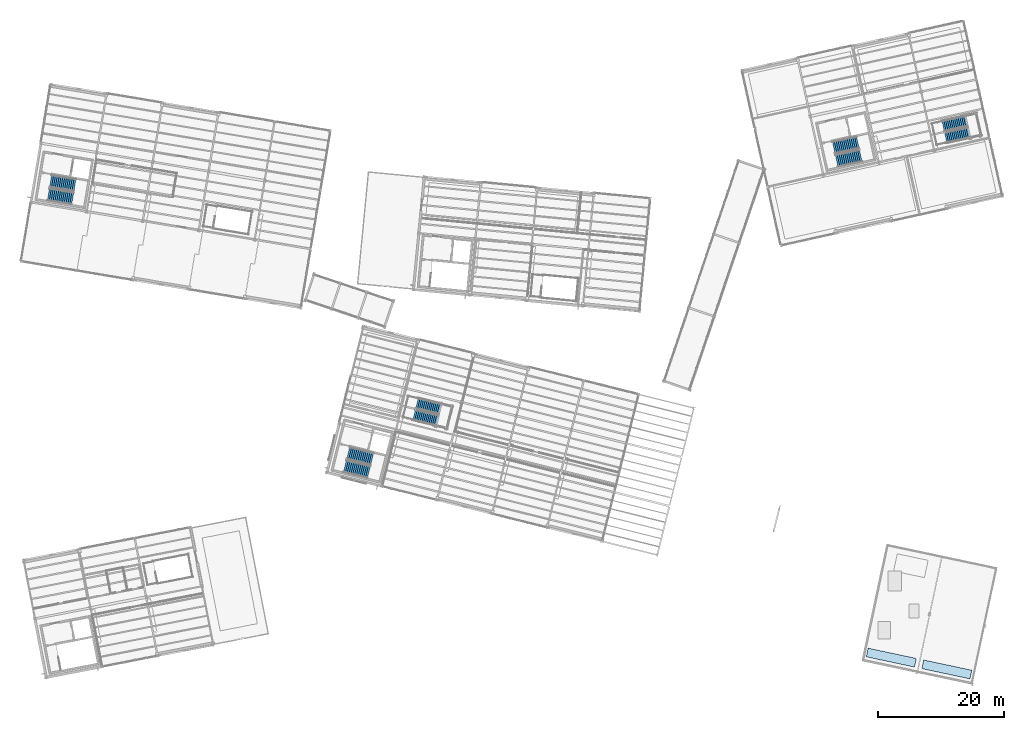
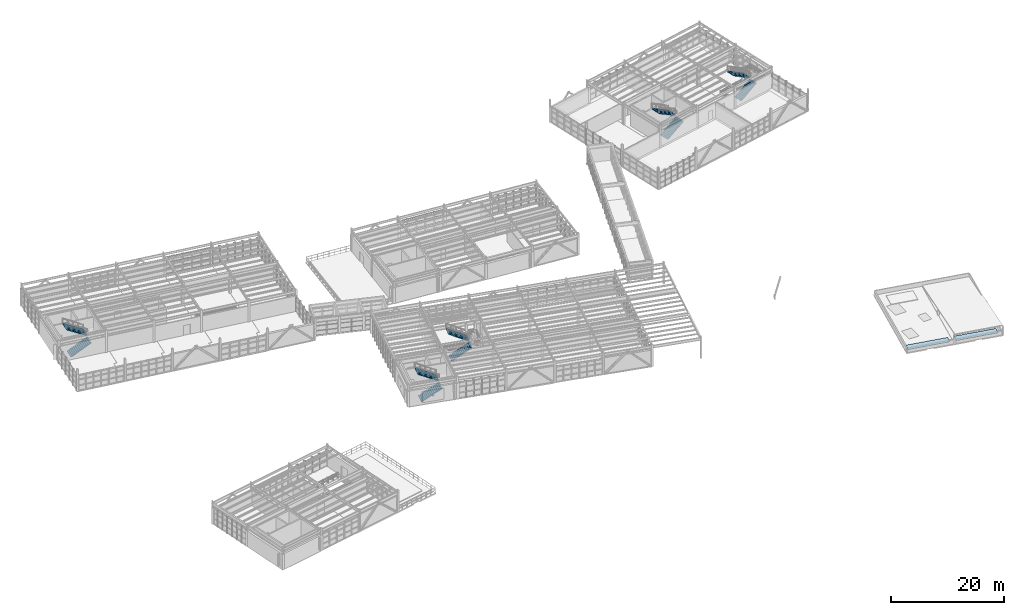
# One storey, part 92 of 102: 10 stair flights, 2 roofs, 5 elements without a shape of their own.
"""IFC4 building model written with IfcOpenShell, lengths in metres."""

from ifc_helpers import new_model, si_unit, direction, frame, origin, origin_2d, place, context, subcontext, project, spatial, polyline, rectangle, outline, extrude, material, layer, layer_set, type_object, element, aggregate, save


model = new_model("IFC4")

# Units and contexts
model_context = context("Model", 3, precision=1e-05, world=origin(), true_north=direction((0.0, 1.0)))
body_context = subcontext(model_context, "Body", "Model", "MODEL_VIEW")
ifc_project = project(units=[si_unit("LENGTHUNIT", "METRE"), si_unit("AREAUNIT", "SQUARE_METRE"), si_unit("VOLUMEUNIT", "CUBIC_METRE"), si_unit("PLANEANGLEUNIT", "RADIAN"), si_unit("MASSUNIT", "GRAM", prefix="KILO")], contexts=[model_context])

# Site, building, storey
site_placement = place(None, origin())
site = spatial("IfcSite", under=ifc_project, at=site_placement, CompositionType="ELEMENT")
building_placement = place(site_placement, origin())
building = spatial("IfcBuilding", under=site, at=building_placement, Name="Vireo Bluff Cable Station", CompositionType="ELEMENT")
storey_placement = place(building_placement, frame((0.0, 0.0, 9.60009765625)))
storey = spatial("IfcBuildingStorey", under=building, at=storey_placement, Name="L02", CompositionType="ELEMENT", Elevation=9.60009765625)

# Stair, stair flights
ifc_material = material(Name="Concrete f'c 40 MPa", Category="concrete")
stair_type_1 = type_object("IfcStairType", Name="STAIR-HT-1680", PredefinedType="HALF_TURN_STAIR", material=ifc_material)
stair_1_placement = place(storey_placement, origin())
stair_1 = element("IfcStair", 1, at=stair_1_placement, inside=storey, type_object=stair_type_1, Name="L02 Feature Concourse Stair ST-09", PredefinedType="HALF_TURN_STAIR")
stair_flight_type_1 = type_object("IfcStairFlightType", Name="FLIGHT-1680", PredefinedType="STRAIGHT", material=ifc_material)
stair_flight_1_placement = place(storey_placement, frame((152.147705078125, 91.104736328125, 0.0), z_axis=(0.0, 0.0, 1.0), x_axis=(0.97629600712, 0.216439613938, 0.0)))
stair_flight_1 = element("IfcStairFlight", 2, at=stair_flight_1_placement, type_object=stair_flight_type_1, Name="ST-09 flight 1", NumberOfRisers=14, NumberOfTreads=13, PredefinedType="STRAIGHT", RiserHeight=0.171428571, TreadLength=0.29, context=body_context, shape_type="SweptSolid", body=[
    extrude(outline(polyline([(0.0, 0.0), (0.0, 0.17138671875), (0.2900390625, 0.17138671875), (0.2900390625, 0.3427734375), (0.580078125, 0.3427734375), (0.580078125, 0.514404296875), (0.8701171875, 0.514404296875), (0.8701171875, 0.685791015625), (1.159912109375, 0.685791015625), (1.159912109375, 0.857177734375), (1.449951171875, 0.857177734375), (1.449951171875, 1.028564453125), (1.739990234375, 1.028564453125), (1.739990234375, 1.199951171875), (2.030029296875, 1.199951171875), (2.030029296875, 1.371337890625), (2.320068359375, 1.371337890625), (2.320068359375, 1.54296875), (2.610107421875, 1.54296875), (2.610107421875, 1.71435546875), (2.89990234375, 1.71435546875), (2.89990234375, 1.8857421875), (3.18994140625, 1.8857421875), (3.18994140625, 2.05712890625), (3.47998046875, 2.05712890625), (3.47998046875, 2.228515625), (3.77001953125, 2.228515625), (3.77001953125, 2.39990234375), (3.77001953125, 2.054443359375), (0.294677734375, 0.0), (0.0, 0.0)])), frame((0.0, 0.83984375, 0.0), z_axis=(0.0, -1.0, 0.0), x_axis=(1.0, 0.0, 0.0)), (0.0, 0.0, 1.0), 1.679931640625),
])
stair_flight_2_placement = place(storey_placement, frame((155.42138671875, 93.75634765625, 2.39990234375), z_axis=(0.0, 0.0, 1.0), x_axis=(-0.97629600712, -0.216439613938, 0.0)))
stair_flight_2 = element("IfcStairFlight", 3, at=stair_flight_2_placement, type_object=stair_flight_type_1, Name="ST-09 flight 2", NumberOfRisers=14, NumberOfTreads=13, PredefinedType="STRAIGHT", RiserHeight=0.171428571, TreadLength=0.29, context=body_context, shape_type="SweptSolid", body=[
    extrude(outline(polyline([(0.0, 0.0), (0.0, 0.17138671875), (0.2900390625, 0.17138671875), (0.2900390625, 0.3427734375), (0.580078125, 0.3427734375), (0.580078125, 0.514404296875), (0.8701171875, 0.514404296875), (0.8701171875, 0.685791015625), (1.159912109375, 0.685791015625), (1.159912109375, 0.857177734375), (1.449951171875, 0.857177734375), (1.449951171875, 1.028564453125), (1.739990234375, 1.028564453125), (1.739990234375, 1.199951171875), (2.030029296875, 1.199951171875), (2.030029296875, 1.371337890625), (2.320068359375, 1.371337890625), (2.320068359375, 1.54296875), (2.610107421875, 1.54296875), (2.610107421875, 1.71435546875), (2.89990234375, 1.71435546875), (2.89990234375, 1.8857421875), (3.18994140625, 1.8857421875), (3.18994140625, 2.05712890625), (3.47998046875, 2.05712890625), (3.47998046875, 2.228515625), (3.77001953125, 2.228515625), (3.77001953125, 2.39990234375), (3.77001953125, 2.054443359375), (0.294677734375, 0.0), (0.0, 0.0)])), frame((0.0, 0.83984375, 0.0), z_axis=(0.0, -1.0, 0.0), x_axis=(1.0, 0.0, 0.0)), (0.0, 0.0, 1.0), 1.679931640625),
])
aggregate(stair_1, [stair_flight_1, stair_flight_2])

stair_2_placement = place(storey_placement, origin())
stair_2 = element("IfcStair", 4, at=stair_2_placement, inside=storey, type_object=stair_type_1, Name="L02 Feature Concourse Stair ST-10", PredefinedType="HALF_TURN_STAIR")
stair_flight_3_placement = place(storey_placement, frame((67.857666015625, 47.15966796875, 0.0), z_axis=(0.0, 0.0, 1.0), x_axis=(0.970295726276, -0.2419218956, 0.0)))
stair_flight_3 = element("IfcStairFlight", 5, at=stair_flight_3_placement, type_object=stair_flight_type_1, Name="ST-10 flight 1", NumberOfRisers=14, NumberOfTreads=13, PredefinedType="STRAIGHT", RiserHeight=0.171428571, TreadLength=0.29, context=body_context, shape_type="SweptSolid", body=[
    extrude(outline(polyline([(0.0, 0.0), (0.0, 0.17138671875), (0.2900390625, 0.17138671875), (0.2900390625, 0.3427734375), (0.580078125, 0.3427734375), (0.580078125, 0.514404296875), (0.8701171875, 0.514404296875), (0.8701171875, 0.685791015625), (1.159912109375, 0.685791015625), (1.159912109375, 0.857177734375), (1.449951171875, 0.857177734375), (1.449951171875, 1.028564453125), (1.739990234375, 1.028564453125), (1.739990234375, 1.199951171875), (2.030029296875, 1.199951171875), (2.030029296875, 1.371337890625), (2.320068359375, 1.371337890625), (2.320068359375, 1.54296875), (2.610107421875, 1.54296875), (2.610107421875, 1.71435546875), (2.89990234375, 1.71435546875), (2.89990234375, 1.8857421875), (3.18994140625, 1.8857421875), (3.18994140625, 2.05712890625), (3.47998046875, 2.05712890625), (3.47998046875, 2.228515625), (3.77001953125, 2.228515625), (3.77001953125, 2.39990234375), (3.77001953125, 2.054443359375), (0.294677734375, 0.0), (0.0, 0.0)])), frame((0.0, 0.83984375, 0.0), z_axis=(0.0, -1.0, 0.0), x_axis=(1.0, 0.0, 0.0)), (0.0, 0.0, 1.0), 1.679931640625),
])
stair_flight_4_placement = place(storey_placement, frame((71.970458984375, 48.07177734375, 2.39990234375), z_axis=(0.0, 0.0, 1.0), x_axis=(-0.970295726276, 0.2419218956, 0.0)))
stair_flight_4 = element("IfcStairFlight", 6, at=stair_flight_4_placement, type_object=stair_flight_type_1, Name="ST-10 flight 2", NumberOfRisers=14, NumberOfTreads=13, PredefinedType="STRAIGHT", RiserHeight=0.171428571, TreadLength=0.29, context=body_context, shape_type="SweptSolid", body=[
    extrude(outline(polyline([(0.0, 0.0), (0.0, 0.17138671875), (0.2900390625, 0.17138671875), (0.2900390625, 0.3427734375), (0.580078125, 0.3427734375), (0.580078125, 0.514404296875), (0.8701171875, 0.514404296875), (0.8701171875, 0.685791015625), (1.159912109375, 0.685791015625), (1.159912109375, 0.857177734375), (1.449951171875, 0.857177734375), (1.449951171875, 1.028564453125), (1.739990234375, 1.028564453125), (1.739990234375, 1.199951171875), (2.030029296875, 1.199951171875), (2.030029296875, 1.371337890625), (2.320068359375, 1.371337890625), (2.320068359375, 1.54296875), (2.610107421875, 1.54296875), (2.610107421875, 1.71435546875), (2.89990234375, 1.71435546875), (2.89990234375, 1.8857421875), (3.18994140625, 1.8857421875), (3.18994140625, 2.05712890625), (3.47998046875, 2.05712890625), (3.47998046875, 2.228515625), (3.77001953125, 2.228515625), (3.77001953125, 2.39990234375), (3.77001953125, 2.054443359375), (0.294677734375, 0.0), (0.0, 0.0)])), frame((0.0, 0.83984375, 0.0), z_axis=(0.0, -1.0, 0.0), x_axis=(1.0, 0.0, 0.0)), (0.0, 0.0, 1.0), 1.679931640625),
])
aggregate(stair_2, [stair_flight_3, stair_flight_4])

stair_type_2 = type_object("IfcStairType", Name="STAIR-HT-1950", PredefinedType="HALF_TURN_STAIR", material=ifc_material)
stair_3_placement = place(storey_placement, origin())
stair_3 = element("IfcStair", 7, at=stair_3_placement, inside=storey, type_object=stair_type_2, Name="L02 CORE-2 Exit Stair ST-02", PredefinedType="HALF_TURN_STAIR")
stair_flight_type_2 = type_object("IfcStairFlightType", Name="FLIGHT-1950", PredefinedType="STRAIGHT", material=ifc_material)
stair_flight_5_placement = place(storey_placement, frame((56.87939453125, 39.00830078125, 0.0), z_axis=(0.0, 0.0, 1.0), x_axis=(0.970295726276, -0.2419218956, 0.0)))
stair_flight_5 = element("IfcStairFlight", 8, at=stair_flight_5_placement, type_object=stair_flight_type_2, Name="ST-02 flight 1", NumberOfRisers=14, NumberOfTreads=13, PredefinedType="STRAIGHT", RiserHeight=0.171428571, TreadLength=0.3, context=body_context, shape_type="SweptSolid", body=[
    extrude(outline(polyline([(0.0, 0.0), (0.0, 0.17138671875), (0.300048828125, 0.17138671875), (0.300048828125, 0.3427734375), (0.60009765625, 0.3427734375), (0.60009765625, 0.514404296875), (0.89990234375, 0.514404296875), (0.89990234375, 0.685791015625), (1.199951171875, 0.685791015625), (1.199951171875, 0.857177734375), (1.5, 0.857177734375), (1.5, 1.028564453125), (1.800048828125, 1.028564453125), (1.800048828125, 1.199951171875), (2.10009765625, 1.199951171875), (2.10009765625, 1.371337890625), (2.39990234375, 1.371337890625), (2.39990234375, 1.54296875), (2.699951171875, 1.54296875), (2.699951171875, 1.71435546875), (3.0, 1.71435546875), (3.0, 1.8857421875), (3.300048828125, 1.8857421875), (3.300048828125, 2.05712890625), (3.60009765625, 2.05712890625), (3.60009765625, 2.228515625), (3.89990234375, 2.228515625), (3.89990234375, 2.39990234375), (3.89990234375, 2.055908203125), (0.30224609375, 0.0), (0.0, 0.0)])), frame((0.0, 0.97509765625, 0.0), z_axis=(0.0, -1.0, 0.0), x_axis=(1.0, 0.0, 0.0)), (0.0, 0.0, 1.0), 1.949951171875),
])
stair_flight_6_placement = place(storey_placement, frame((61.183837890625, 40.15087890625, 2.39990234375), z_axis=(0.0, 0.0, 1.0), x_axis=(-0.970295726276, 0.2419218956, 0.0)))
stair_flight_6 = element("IfcStairFlight", 9, at=stair_flight_6_placement, type_object=stair_flight_type_2, Name="ST-02 flight 2", NumberOfRisers=14, NumberOfTreads=13, PredefinedType="STRAIGHT", RiserHeight=0.171428571, TreadLength=0.3, context=body_context, shape_type="SweptSolid", body=[
    extrude(outline(polyline([(0.0, 0.0), (0.0, 0.17138671875), (0.300048828125, 0.17138671875), (0.300048828125, 0.3427734375), (0.60009765625, 0.3427734375), (0.60009765625, 0.514404296875), (0.89990234375, 0.514404296875), (0.89990234375, 0.685791015625), (1.199951171875, 0.685791015625), (1.199951171875, 0.857177734375), (1.5, 0.857177734375), (1.5, 1.028564453125), (1.800048828125, 1.028564453125), (1.800048828125, 1.199951171875), (2.10009765625, 1.199951171875), (2.10009765625, 1.371337890625), (2.39990234375, 1.371337890625), (2.39990234375, 1.54296875), (2.699951171875, 1.54296875), (2.699951171875, 1.71435546875), (3.0, 1.71435546875), (3.0, 1.8857421875), (3.300048828125, 1.8857421875), (3.300048828125, 2.05712890625), (3.60009765625, 2.05712890625), (3.60009765625, 2.228515625), (3.89990234375, 2.228515625), (3.89990234375, 2.39990234375), (3.89990234375, 2.055908203125), (0.30224609375, 0.0), (0.0, 0.0)])), frame((0.0, 0.97509765625, 0.0), z_axis=(0.0, -1.0, 0.0), x_axis=(1.0, 0.0, 0.0)), (0.0, 0.0, 1.0), 1.949951171875),
])
aggregate(stair_3, [stair_flight_5, stair_flight_6])

stair_4_placement = place(storey_placement, origin())
stair_4 = element("IfcStair", 10, at=stair_4_placement, inside=storey, type_object=stair_type_2, Name="L02 CORE-3 Exit Stair ST-03", PredefinedType="HALF_TURN_STAIR")
stair_flight_7_placement = place(storey_placement, frame((9.859375, 82.100830078125, 0.0), z_axis=(0.0, 0.0, 1.0), x_axis=(0.986285601537, -0.165047605861, 0.0)))
stair_flight_7 = element("IfcStairFlight", 11, at=stair_flight_7_placement, type_object=stair_flight_type_2, Name="ST-03 flight 1", NumberOfRisers=14, NumberOfTreads=13, PredefinedType="STRAIGHT", RiserHeight=0.171428571, TreadLength=0.3, context=body_context, shape_type="SweptSolid", body=[
    extrude(outline(polyline([(0.0, 0.0), (0.0, 0.17138671875), (0.300048828125, 0.17138671875), (0.300048828125, 0.3427734375), (0.60009765625, 0.3427734375), (0.60009765625, 0.514404296875), (0.89990234375, 0.514404296875), (0.89990234375, 0.685791015625), (1.199951171875, 0.685791015625), (1.199951171875, 0.857177734375), (1.5, 0.857177734375), (1.5, 1.028564453125), (1.800048828125, 1.028564453125), (1.800048828125, 1.199951171875), (2.10009765625, 1.199951171875), (2.10009765625, 1.371337890625), (2.39990234375, 1.371337890625), (2.39990234375, 1.54296875), (2.699951171875, 1.54296875), (2.699951171875, 1.71435546875), (3.0, 1.71435546875), (3.0, 1.8857421875), (3.300048828125, 1.8857421875), (3.300048828125, 2.05712890625), (3.60009765625, 2.05712890625), (3.60009765625, 2.228515625), (3.89990234375, 2.228515625), (3.89990234375, 2.39990234375), (3.89990234375, 2.055908203125), (0.30224609375, 0.0), (0.0, 0.0)])), frame((0.0, 0.97509765625, 0.0), z_axis=(0.0, -1.0, 0.0), x_axis=(1.0, 0.0, 0.0)), (0.0, 0.0, 1.0), 1.949951171875),
])
stair_flight_8_placement = place(storey_placement, frame((14.060791015625, 83.57763671875, 2.39990234375), z_axis=(0.0, 0.0, 1.0), x_axis=(-0.986285601537, 0.165047605861, 0.0)))
stair_flight_8 = element("IfcStairFlight", 12, at=stair_flight_8_placement, type_object=stair_flight_type_2, Name="ST-03 flight 2", NumberOfRisers=14, NumberOfTreads=13, PredefinedType="STRAIGHT", RiserHeight=0.171428571, TreadLength=0.3, context=body_context, shape_type="SweptSolid", body=[
    extrude(outline(polyline([(0.0, 0.0), (0.0, 0.17138671875), (0.300048828125, 0.17138671875), (0.300048828125, 0.3427734375), (0.60009765625, 0.3427734375), (0.60009765625, 0.514404296875), (0.89990234375, 0.514404296875), (0.89990234375, 0.685791015625), (1.199951171875, 0.685791015625), (1.199951171875, 0.857177734375), (1.5, 0.857177734375), (1.5, 1.028564453125), (1.800048828125, 1.028564453125), (1.800048828125, 1.199951171875), (2.10009765625, 1.199951171875), (2.10009765625, 1.371337890625), (2.39990234375, 1.371337890625), (2.39990234375, 1.54296875), (2.699951171875, 1.54296875), (2.699951171875, 1.71435546875), (3.0, 1.71435546875), (3.0, 1.8857421875), (3.300048828125, 1.8857421875), (3.300048828125, 2.05712890625), (3.60009765625, 2.05712890625), (3.60009765625, 2.228515625), (3.89990234375, 2.228515625), (3.89990234375, 2.39990234375), (3.89990234375, 2.055908203125), (0.30224609375, 0.0), (0.0, 0.0)])), frame((0.0, 0.97509765625, 0.0), z_axis=(0.0, -1.0, 0.0), x_axis=(1.0, 0.0, 0.0)), (0.0, 0.0, 1.0), 1.949951171875),
])
aggregate(stair_4, [stair_flight_7, stair_flight_8])

stair_5_placement = place(storey_placement, origin())
stair_5 = element("IfcStair", 13, at=stair_5_placement, inside=storey, type_object=stair_type_2, Name="L02 CORE-4 Exit Stair ST-04", PredefinedType="HALF_TURN_STAIR")
stair_flight_9_placement = place(storey_placement, frame((134.857421875, 87.409912109375, 0.0), z_axis=(0.0, 0.0, 1.0), x_axis=(0.97629600712, 0.216439613938, 0.0)))
stair_flight_9 = element("IfcStairFlight", 14, at=stair_flight_9_placement, type_object=stair_flight_type_2, Name="ST-04 flight 1", NumberOfRisers=14, NumberOfTreads=13, PredefinedType="STRAIGHT", RiserHeight=0.171428571, TreadLength=0.3, context=body_context, shape_type="SweptSolid", body=[
    extrude(outline(polyline([(0.0, 0.0), (0.0, 0.17138671875), (0.300048828125, 0.17138671875), (0.300048828125, 0.3427734375), (0.60009765625, 0.3427734375), (0.60009765625, 0.514404296875), (0.89990234375, 0.514404296875), (0.89990234375, 0.685791015625), (1.199951171875, 0.685791015625), (1.199951171875, 0.857177734375), (1.5, 0.857177734375), (1.5, 1.028564453125), (1.800048828125, 1.028564453125), (1.800048828125, 1.199951171875), (2.10009765625, 1.199951171875), (2.10009765625, 1.371337890625), (2.39990234375, 1.371337890625), (2.39990234375, 1.54296875), (2.699951171875, 1.54296875), (2.699951171875, 1.71435546875), (3.0, 1.71435546875), (3.0, 1.8857421875), (3.300048828125, 1.8857421875), (3.300048828125, 2.05712890625), (3.60009765625, 2.05712890625), (3.60009765625, 2.228515625), (3.89990234375, 2.228515625), (3.89990234375, 2.39990234375), (3.89990234375, 2.055908203125), (0.30224609375, 0.0), (0.0, 0.0)])), frame((0.0, 0.97509765625, 0.0), z_axis=(0.0, -1.0, 0.0), x_axis=(1.0, 0.0, 0.0)), (0.0, 0.0, 1.0), 1.949951171875),
])
stair_flight_10_placement = place(storey_placement, frame((138.19970703125, 90.35302734375, 2.39990234375), z_axis=(0.0, 0.0, 1.0), x_axis=(-0.97629600712, -0.216439613938, 0.0)))
stair_flight_10 = element("IfcStairFlight", 15, at=stair_flight_10_placement, type_object=stair_flight_type_2, Name="ST-04 flight 2", NumberOfRisers=14, NumberOfTreads=13, PredefinedType="STRAIGHT", RiserHeight=0.171428571, TreadLength=0.3, context=body_context, shape_type="SweptSolid", body=[
    extrude(outline(polyline([(0.0, 0.0), (0.0, 0.17138671875), (0.300048828125, 0.17138671875), (0.300048828125, 0.3427734375), (0.60009765625, 0.3427734375), (0.60009765625, 0.514404296875), (0.89990234375, 0.514404296875), (0.89990234375, 0.685791015625), (1.199951171875, 0.685791015625), (1.199951171875, 0.857177734375), (1.5, 0.857177734375), (1.5, 1.028564453125), (1.800048828125, 1.028564453125), (1.800048828125, 1.199951171875), (2.10009765625, 1.199951171875), (2.10009765625, 1.371337890625), (2.39990234375, 1.371337890625), (2.39990234375, 1.54296875), (2.699951171875, 1.54296875), (2.699951171875, 1.71435546875), (3.0, 1.71435546875), (3.0, 1.8857421875), (3.300048828125, 1.8857421875), (3.300048828125, 2.05712890625), (3.60009765625, 2.05712890625), (3.60009765625, 2.228515625), (3.89990234375, 2.228515625), (3.89990234375, 2.39990234375), (3.89990234375, 2.055908203125), (0.30224609375, 0.0), (0.0, 0.0)])), frame((0.0, 0.97509765625, 0.0), z_axis=(0.0, -1.0, 0.0), x_axis=(1.0, 0.0, 0.0)), (0.0, 0.0, 1.0), 1.949951171875),
])
aggregate(stair_5, [stair_flight_9, stair_flight_10])

# Roofs
ifc_layer = layer(ifc_material, 0.080078125, Name="Concrete f'c 40 MPa")
ifc_layer_set = layer_set([ifc_layer], Name="Concrete f'c 40 MPa")
roof_type = type_object("IfcRoofType", Name="ROOF-TERRACE-01", PredefinedType="FLAT_ROOF", material=ifc_layer_set)
for number, where, z_axis, x_axis, name in (
    (16, (143.516845703125, 8.660400390625, -0.000244140625), (0.0, 0.0, 1.0), (0.978147600734, -0.207911690818, 0.0), "V5E flat roof assembly 1"),
    (17, (152.320068359375, 6.789306640625, -0.000244140625), (0.0, 0.0, 1.0), (0.978147600734, -0.207911690818, 0.0), "V5E flat roof assembly 2"),
):
    element("IfcRoof", number, at=place(storey_placement, frame(where, z_axis=z_axis, x_axis=x_axis)), inside=storey, type_object=roof_type, Name=name, PredefinedType="FLAT_ROOF", context=body_context, shape_type="SweptSolid", body=[
        extrude(rectangle(XDim=7.800048828125, YDim=1.39990234375, at=origin_2d()), origin(), (0.0, 0.0, 1.0), 0.080078125),
    ])

save(model, "model.ifc")
